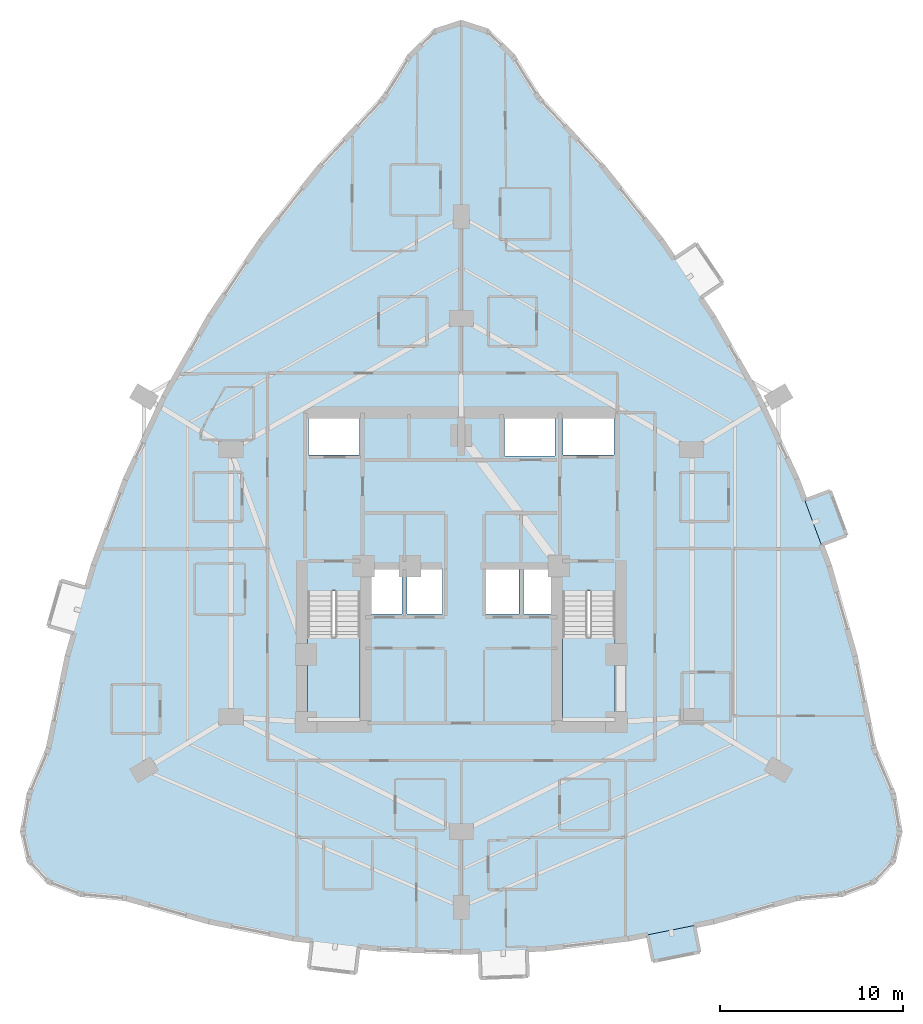
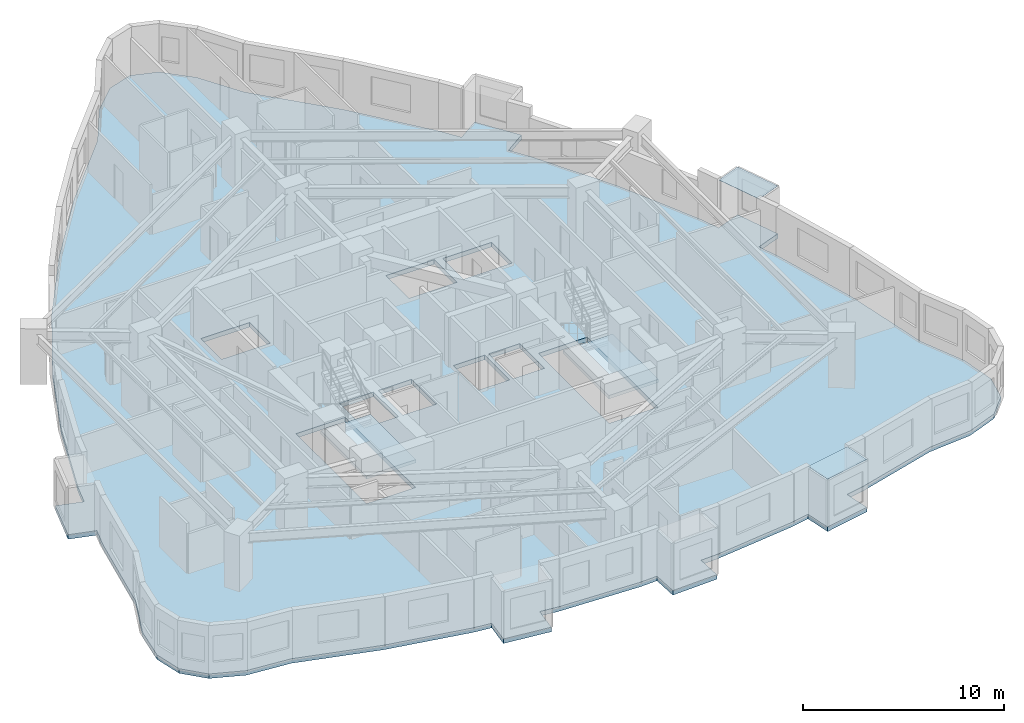
# One storey, part 4 of 13: 3 slabs, 2 plates, 2 elements without a shape of their own.
"""IFC4 building model written with IfcOpenShell, lengths in metres."""

from ifc_helpers import new_model, si_unit, direction, frame, origin, place, context, subcontext, project, spatial, polyline, outline, extrude, material, layer, layer_set, type_object, element, aggregate, save


model = new_model("IFC4")

# Units and contexts
model_context = context("Model", 3, precision=1e-05, world=origin(), true_north=direction((0.0, 1.0)))
body_context = subcontext(model_context, "Body", "Model", "MODEL_VIEW")
ifc_project = project(units=[si_unit("LENGTHUNIT", "METRE"), si_unit("AREAUNIT", "SQUARE_METRE"), si_unit("VOLUMEUNIT", "CUBIC_METRE"), si_unit("PLANEANGLEUNIT", "RADIAN"), si_unit("MASSUNIT", "GRAM", prefix="KILO")], contexts=[model_context])

# Site, building, storey
site_placement = place(None, origin())
site = spatial("IfcSite", under=ifc_project, at=site_placement, CompositionType="ELEMENT")
building_placement = place(site_placement, origin())
building = spatial("IfcBuilding", under=site, at=building_placement, Name="Miruveldt Soraemaru", CompositionType="ELEMENT")
storey_placement = place(building_placement, frame((0.0, 0.0, 87.0)))
storey = spatial("IfcBuildingStorey", under=building, at=storey_placement, Name="L24", CompositionType="ELEMENT", Elevation=87.0)

# Plates
ifc_material_1 = material(Name="Standing-seam titanium-zinc sheet", Category="aluminium")
ifc_layer_1 = layer(ifc_material_1, 0.011962890625, Name="Standing-seam titanium-zinc sheet", Category="aluminium")
ifc_layer_set_1 = layer_set([ifc_layer_1], Name="Standing-seam titanium-zinc sheet")
plate_type = type_object("IfcPlateType", Name="PLT-ZINC-12", PredefinedType="SHEET", material=ifc_layer_set_1)
plate_1_placement = place(storey_placement, frame((0.0, 0.0, 2.89990234375)))
element("IfcPlate", 1, at=plate_1_placement, inside=storey, type_object=plate_type, Name="L24 Bay Window Zinc Hood Sheet 4", PredefinedType="SHEET", context=body_context, shape_type="SweptSolid", body=[
    extrude(outline(polyline([(54.2041015625, 23.867919921875), (56.753662109375, 24.377685546875), (57.0439453125, 22.926513671875), (54.494384765625, 22.41650390625), (54.2041015625, 23.867919921875)])), origin(), (0.0, 0.0, 1.0), 0.01220703125),
])
plate_2_placement = place(storey_placement, frame((0.0, 0.0, 2.89990234375)))
element("IfcPlate", 2, at=plate_2_placement, inside=storey, type_object=plate_type, Name="L24 Bay Window Zinc Hood Sheet 5", PredefinedType="SHEET", context=body_context, shape_type="SweptSolid", body=[
    extrude(outline(polyline([(63.704345703125, 45.207275390625), (62.796875, 47.643798828125), (64.183837890625, 48.160400390625), (65.09130859375, 45.723876953125), (63.704345703125, 45.207275390625)])), origin(), (0.0, 0.0, 1.0), 0.01220703125),
])

# Stair, slab
ifc_material_2 = material(Name="Concrete C40/50 (40 MPa)", Category="concrete")
stair_type = type_object("IfcStairType", Name="STAIR-DL-340", PredefinedType="HALF_TURN_STAIR", material=ifc_material_2)
stair_1_placement = place(storey_placement, origin())
stair_1 = element("IfcStair", 3, at=stair_1_placement, inside=storey, type_object=stair_type, Name="L24 Protected Exit Stair ST-1", PredefinedType="HALF_TURN_STAIR")
ifc_layer_2 = layer(ifc_material_2, 0.199951171875, Name="Concrete C40/50 (40 MPa)", Category="concrete")
ifc_layer_set_2 = layer_set([ifc_layer_2], Name="Concrete C40/50 (40 MPa)")
slab_type_1 = type_object("IfcSlabType", Name="SLAB-LAND-200", PredefinedType="LANDING", material=ifc_layer_set_2)
slab_1_placement = place(storey_placement, frame((0.0, 0.0, 1.5)))
slab_1 = element("IfcSlab", 4, at=slab_1_placement, type_object=slab_type_1, Name="ST-1 landing 1", PredefinedType="LANDING", context=body_context, shape_type="SweptSolid", body=[
    extrude(outline(polyline([(35.60009765625, 40.197998046875), (35.60009765625, 35.64990234375), (38.449951171875, 35.64990234375), (38.449951171875, 40.197998046875), (35.60009765625, 40.197998046875)])), origin(), (0.0, 0.0, 1.0), 0.199951171875),
])
aggregate(stair_1, [slab_1])

stair_2_placement = place(storey_placement, origin())
stair_2 = element("IfcStair", 5, at=stair_2_placement, inside=storey, type_object=stair_type, Name="L24 Protected Exit Stair ST-2", PredefinedType="HALF_TURN_STAIR")
slab_2_placement = place(storey_placement, frame((0.0, 0.0, 1.5)))
slab_2 = element("IfcSlab", 6, at=slab_2_placement, type_object=slab_type_1, Name="ST-2 landing 1", PredefinedType="LANDING", context=body_context, shape_type="SweptSolid", body=[
    extrude(outline(polyline([(49.550048828125, 40.197998046875), (49.550048828125, 35.64990234375), (52.39990234375, 35.64990234375), (52.39990234375, 40.197998046875), (49.550048828125, 40.197998046875)])), origin(), (0.0, 0.0, 1.0), 0.199951171875),
])
aggregate(stair_2, [slab_2])

# Slab
ifc_layer_3 = layer(ifc_material_2, 0.27490234375, Name="Concrete C40/50 (40 MPa)", Category="concrete")
ifc_layer_set_3 = layer_set([ifc_layer_3], Name="Concrete C40/50 (40 MPa)")
slab_type_2 = type_object("IfcSlabType", Name="SLAB-RES1-275", PredefinedType="FLOOR", material=ifc_layer_set_3)
slab_3_placement = place(storey_placement, frame((0.0, 0.0, -0.27490234375)))
element("IfcSlab", 7, at=slab_3_placement, inside=storey, type_object=slab_type_2, Name="L24 Structural Floor Slab", PredefinedType="FLOOR", context=body_context, shape_type="SweptSolid", body=[
    extrude(outline(polyline([(45.055908203125, 21.489990234375), (44.996826171875, 22.968994140625), (44.0, 22.928955078125), (39.408447265625, 23.11279296875), (37.11279296875, 23.38818359375), (38.4033203125, 23.2333984375), (38.22705078125, 21.763916015625), (35.645751953125, 22.073486328125), (35.822021484375, 23.543212890625), (34.81689453125, 23.663818359375), (30.225341796875, 24.58203125), (25.6337890625, 25.86767578125), (23.1728515625, 26.094970703125), (21.414794921875, 26.777099609375), (20.360107421875, 27.913818359375), (20.008544921875, 29.505126953125), (20.360107421875, 31.55126953125), (21.414794921875, 34.052001953125), (22.463623046875, 39.148193359375), (22.80859375, 40.354736328125), (21.3857421875, 40.76171875), (22.1005859375, 43.261474609375), (23.523681640625, 42.8544921875), (23.166015625, 41.6044921875), (23.86865234375, 44.06103515625), (25.6298828125, 48.7900390625), (27.747802734375, 53.33544921875), (30.2216796875, 57.697265625), (33.0517578125, 61.875244140625), (36.23828125, 65.86962890625), (39.781005859375, 69.680419921875), (41.1875, 71.953857421875), (42.59375, 73.31787109375), (44.0, 73.772705078125), (45.40625, 73.31787109375), (46.8125, 71.953857421875), (48.218994140625, 69.680419921875), (51.76171875, 65.86962890625), (54.9482421875, 61.875244140625), (55.63427734375, 60.862548828125), (56.859619140625, 61.692626953125), (58.317626953125, 59.539794921875), (57.09228515625, 58.7099609375), (57.7783203125, 57.697265625), (60.252197265625, 53.33544921875), (62.3701171875, 48.7900390625), (62.796875, 47.643798828125), (64.183837890625, 48.160400390625), (65.09130859375, 45.723876953125), (63.704345703125, 45.207275390625), (63.25048828125, 46.425537109375), (64.13134765625, 44.06103515625), (65.536376953125, 39.148193359375), (66.585205078125, 34.052001953125), (67.639892578125, 31.55126953125), (67.991455078125, 29.505126953125), (67.639892578125, 27.913818359375), (66.585205078125, 26.777099609375), (64.8271484375, 26.094970703125), (62.3662109375, 25.86767578125), (57.774658203125, 24.58203125), (56.753662109375, 24.377685546875), (57.0439453125, 22.926513671875), (54.494384765625, 22.41650390625), (54.2041015625, 23.867919921875), (53.18310546875, 23.663818359375), (48.591552734375, 23.11279296875), (46.2958984375, 23.02099609375), (47.5947265625, 23.07275390625), (47.65380859375, 21.593994140625), (45.055908203125, 21.489990234375)]), holes=[polyline([(35.614990234375, 35.6650390625), (38.43505859375, 35.6650390625), (38.43505859375, 42.68505859375), (35.614990234375, 42.68505859375), (35.614990234375, 35.6650390625)]), polyline([(49.56494140625, 35.6650390625), (52.385009765625, 35.6650390625), (52.385009765625, 42.68505859375), (49.56494140625, 42.68505859375), (49.56494140625, 35.6650390625)]), polyline([(40.764892578125, 41.4150390625), (40.764892578125, 43.885009765625), (38.81494140625, 43.885009765625), (38.81494140625, 41.4150390625), (40.764892578125, 41.4150390625)]), polyline([(42.965087890625, 41.4150390625), (42.965087890625, 43.885009765625), (41.034912109375, 43.885009765625), (41.034912109375, 41.4150390625), (42.965087890625, 41.4150390625)]), polyline([(47.1650390625, 41.4150390625), (47.1650390625, 43.885009765625), (45.364990234375, 43.885009765625), (45.364990234375, 41.4150390625), (47.1650390625, 41.4150390625)]), polyline([(49.18505859375, 41.4150390625), (49.18505859375, 43.885009765625), (47.39501953125, 43.885009765625), (47.39501953125, 41.4150390625), (49.18505859375, 41.4150390625)]), polyline([(38.445068359375, 50.135009765625), (38.445068359375, 52.205078125), (35.635009765625, 52.205078125), (35.635009765625, 50.135009765625), (38.445068359375, 50.135009765625)]), polyline([(49.554931640625, 50.135009765625), (52.364990234375, 50.135009765625), (52.364990234375, 52.205078125), (49.554931640625, 52.205078125), (49.554931640625, 50.135009765625)]), polyline([(46.364990234375, 50.06494140625), (49.135009765625, 50.06494140625), (49.135009765625, 52.3349609375), (46.364990234375, 52.3349609375), (46.364990234375, 50.06494140625)])]), origin(), (0.0, 0.0, 1.0), 0.27490234375),
])

save(model, "model.ifc")
